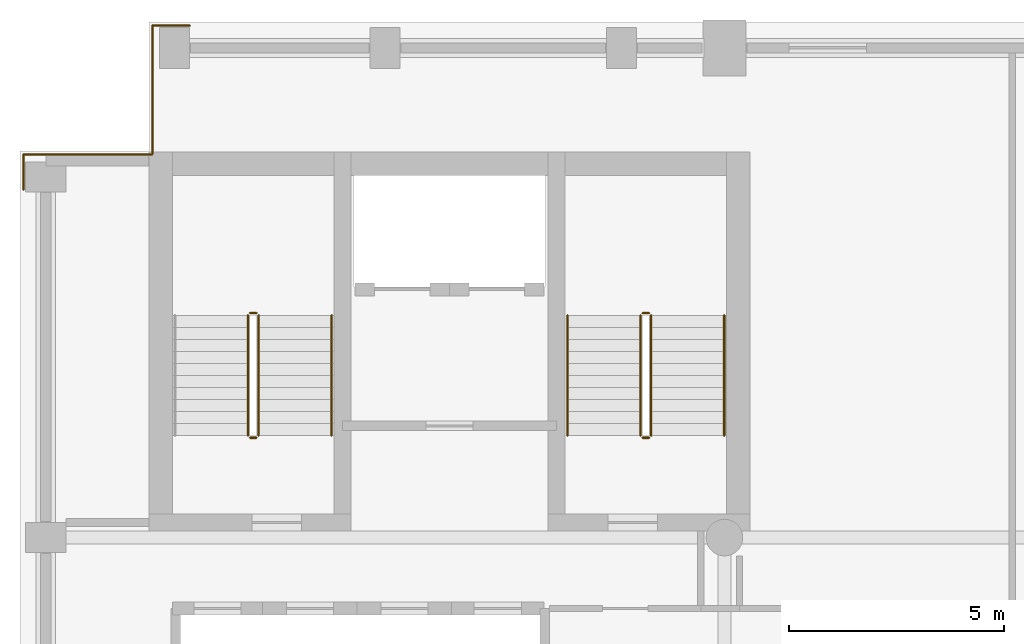
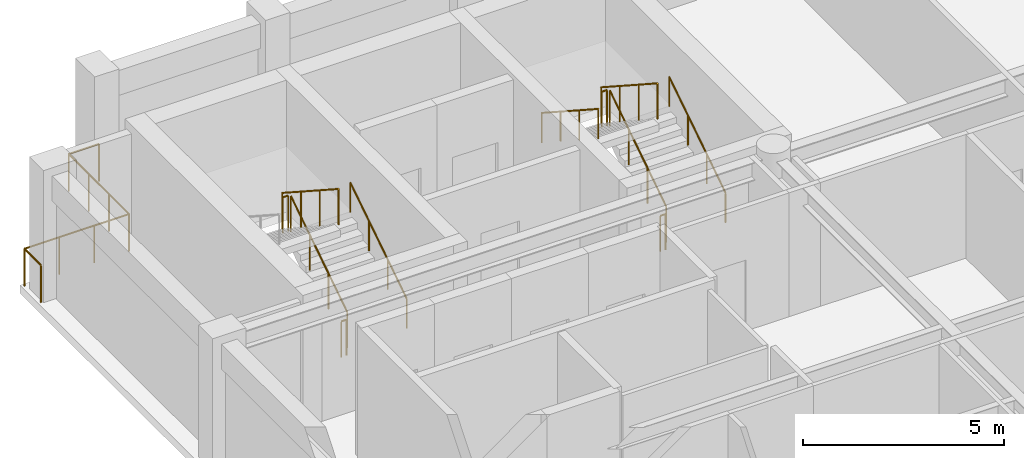
# One storey, part 8 of 9: 15 railings.
"""IFC4 building model written with IfcOpenShell, lengths in metres."""

from ifc_helpers import new_model, si_unit, direction, frame, origin, origin_2d, place, context, subcontext, project, spatial, circle, extrude, material, type_object, element, save


model = new_model("IFC4")

# Units and contexts
model_context = context("Model", 3, precision=1e-05, world=origin(), true_north=direction((0.0, 1.0)))
body_context = subcontext(model_context, "Body", "Model", "MODEL_VIEW")
ifc_project = project(units=[si_unit("LENGTHUNIT", "METRE"), si_unit("AREAUNIT", "SQUARE_METRE"), si_unit("VOLUMEUNIT", "CUBIC_METRE"), si_unit("PLANEANGLEUNIT", "RADIAN"), si_unit("MASSUNIT", "GRAM", prefix="KILO")], contexts=[model_context])

# Site, building, storey
site_placement = place(None, origin())
site = spatial("IfcSite", under=ifc_project, at=site_placement, CompositionType="ELEMENT")
building_placement = place(site_placement, origin())
building = spatial("IfcBuilding", under=site, at=building_placement, Name="Sulina Concourse Tower", CompositionType="ELEMENT")
storey_placement = place(building_placement, frame((0.0, 0.0, 272.60009765625)))
storey = spatial("IfcBuildingStorey", under=building, at=storey_placement, Name="L66", CompositionType="ELEMENT", Elevation=272.60009765625)

# Railings
ifc_material_1 = material(Name="Galvanised steel railing", Category="steel")
railing_type_1 = type_object("IfcRailingType", Name="Core Stair Steel Guardrail 1150mm", PredefinedType="GUARDRAIL", material=ifc_material_1)
railing_1_placement = place(storey_placement, frame((0.080078125, 42.10009765625, 0.0)))
element("IfcRailing", 1, at=railing_1_placement, inside=storey, type_object=railing_type_1, Name="L66 perimeter edge safety guardrail NW1", PredefinedType="GUARDRAIL", context=body_context, shape_type="SweptSolid", body=[
    extrude(circle(Radius=0.02392578125, at=origin_2d()), frame((0.0, 0.0, 1.1259765625), z_axis=(0.0, 1.0, 0.0), x_axis=(-1.0, 0.0, 0.0)), (0.0, 0.0, 1.0), 0.81982421875),
    extrude(circle(Radius=0.02099609375, at=origin_2d()), origin(), (0.0, 0.0, 1.0), 1.101806640625),
    extrude(circle(Radius=0.02099609375, at=origin_2d()), frame((0.0, 0.81982421875, 0.0)), (0.0, 0.0, 1.0), 1.101806640625),
])
railing_2_placement = place(storey_placement, frame((0.080078125, 42.919921875, 0.0)))
element("IfcRailing", 2, at=railing_2_placement, inside=storey, type_object=railing_type_1, Name="L66 perimeter edge safety guardrail NW2", PredefinedType="GUARDRAIL", context=body_context, shape_type="SweptSolid", body=[
    extrude(circle(Radius=0.02392578125, at=origin_2d()), frame((0.0, 0.0, 1.1259765625), z_axis=(1.0, 0.0, 0.0), x_axis=(0.0, 1.0, 0.0)), (0.0, 0.0, 1.0), 3.0),
    extrude(circle(Radius=0.02099609375, at=origin_2d()), origin(), (0.0, 0.0, 1.0), 1.101806640625),
    extrude(circle(Radius=0.02099609375, at=origin_2d()), frame((1.0, 0.0, 0.0)), (0.0, 0.0, 1.0), 1.101806640625),
    extrude(circle(Radius=0.02099609375, at=origin_2d()), frame((2.0, 0.0, 0.0)), (0.0, 0.0, 1.0), 1.101806640625),
    extrude(circle(Radius=0.02099609375, at=origin_2d()), frame((3.0, 0.0, 0.0)), (0.0, 0.0, 1.0), 1.101806640625),
])
railing_3_placement = place(storey_placement, frame((3.080078125, 42.919921875, 0.0)))
element("IfcRailing", 3, at=railing_3_placement, inside=storey, type_object=railing_type_1, Name="L66 perimeter edge safety guardrail NW3", PredefinedType="GUARDRAIL", context=body_context, shape_type="SweptSolid", body=[
    extrude(circle(Radius=0.02392578125, at=origin_2d()), frame((0.0, 0.0, 1.1259765625), z_axis=(0.0, 1.0, 0.0), x_axis=(-1.0, 0.0, 0.0)), (0.0, 0.0, 1.0), 3.0),
    extrude(circle(Radius=0.02099609375, at=origin_2d()), origin(), (0.0, 0.0, 1.0), 1.101806640625),
    extrude(circle(Radius=0.02099609375, at=origin_2d()), frame((0.0, 1.0, 0.0)), (0.0, 0.0, 1.0), 1.101806640625),
    extrude(circle(Radius=0.02099609375, at=origin_2d()), frame((0.0, 2.0, 0.0)), (0.0, 0.0, 1.0), 1.101806640625),
    extrude(circle(Radius=0.02099609375, at=origin_2d()), frame((0.0, 3.0, 0.0)), (0.0, 0.0, 1.0), 1.101806640625),
])
railing_4_placement = place(storey_placement, frame((3.080078125, 45.919921875, 0.0)))
element("IfcRailing", 4, at=railing_4_placement, inside=storey, type_object=railing_type_1, Name="L66 perimeter edge safety guardrail NW4", PredefinedType="GUARDRAIL", context=body_context, shape_type="SweptSolid", body=[
    extrude(circle(Radius=0.02392578125, at=origin_2d()), frame((0.0, 0.0, 1.1259765625), z_axis=(1.0, 0.0, 0.0), x_axis=(0.0, 1.0, 0.0)), (0.0, 0.0, 1.0), 0.869873046875),
    extrude(circle(Radius=0.02099609375, at=origin_2d()), origin(), (0.0, 0.0, 1.0), 1.101806640625),
    extrude(circle(Radius=0.02099609375, at=origin_2d()), frame((0.869873046875, 0.0, 0.0)), (0.0, 0.0, 1.0), 1.101806640625),
])
railing_5_placement = place(storey_placement, frame((5.554931640625, 36.375, 0.181640625)))
element("IfcRailing", 5, at=railing_5_placement, inside=storey, type_object=railing_type_1, Name="L66 ST-1 stair guard 1", PredefinedType="GUARDRAIL", context=body_context, shape_type="SweptSolid", body=[
    extrude(circle(Radius=0.02392578125, at=origin_2d()), frame((0.0, 0.0, 1.076171875), z_axis=(0.0, 0.838672427954, 0.544636170843), x_axis=(-1.0, 0.0, 0.0)), (0.0, 0.0, 1.0), 3.338623046875),
    extrude(circle(Radius=0.02099609375, at=origin_2d()), origin(), (0.0, 0.0, 1.0), 1.052001953125),
    extrude(circle(Radius=0.02099609375, at=origin_2d()), frame((0.0, 0.933349609375, 0.606201171875)), (0.0, 0.0, 1.0), 1.052001953125),
    extrude(circle(Radius=0.02099609375, at=origin_2d()), frame((0.0, 1.86669921875, 1.212158203125)), (0.0, 0.0, 1.0), 1.052001953125),
    extrude(circle(Radius=0.02099609375, at=origin_2d()), frame((0.0, 2.800048828125, 1.818359375)), (0.0, 0.0, 1.0), 1.052001953125),
])
railing_6_placement = place(storey_placement, frame((5.5048828125, 39.22509765625, 2.0)))
element("IfcRailing", 6, at=railing_6_placement, inside=storey, type_object=railing_type_1, Name="L66 ST-1 stair guard 2", PredefinedType="GUARDRAIL", context=body_context, shape_type="SweptSolid", body=[
    extrude(circle(Radius=0.02392578125, at=origin_2d()), frame((0.0, 0.0, 1.076171875), z_axis=(-1.0, 0.0, 0.0), x_axis=(0.0, -1.0, 0.0)), (0.0, 0.0, 1.0), 0.14990234375),
    extrude(circle(Radius=0.02099609375, at=origin_2d()), origin(), (0.0, 0.0, 1.0), 1.052001953125),
    extrude(circle(Radius=0.02099609375, at=origin_2d()), frame((-0.14990234375, 0.0, 0.0)), (0.0, 0.0, 1.0), 1.052001953125),
])
railing_7_placement = place(storey_placement, frame((5.304931640625, 39.175048828125, 2.181640625)))
element("IfcRailing", 7, at=railing_7_placement, inside=storey, type_object=railing_type_1, Name="L66 ST-1 stair guard 3", PredefinedType="GUARDRAIL", context=body_context, shape_type="SweptSolid", body=[
    extrude(circle(Radius=0.02392578125, at=origin_2d()), frame((0.0, 0.0, 1.076171875), z_axis=(0.0, -0.838672427954, 0.544636170843), x_axis=(1.0, 0.0, 0.0)), (0.0, 0.0, 1.0), 3.338623046875),
    extrude(circle(Radius=0.02099609375, at=origin_2d()), origin(), (0.0, 0.0, 1.0), 1.052001953125),
    extrude(circle(Radius=0.02099609375, at=origin_2d()), frame((0.0, -0.933349609375, 0.606201171875)), (0.0, 0.0, 1.0), 1.052001953125),
    extrude(circle(Radius=0.02099609375, at=origin_2d()), frame((0.0, -1.86669921875, 1.212158203125)), (0.0, 0.0, 1.0), 1.052001953125),
    extrude(circle(Radius=0.02099609375, at=origin_2d()), frame((0.0, -2.800048828125, 1.818359375)), (0.0, 0.0, 1.0), 1.052001953125),
])
railing_8_placement = place(storey_placement, frame((5.5048828125, 36.324951171875, 0.0)))
element("IfcRailing", 8, at=railing_8_placement, inside=storey, type_object=railing_type_1, Name="L66 ST-1 stair guard 4", PredefinedType="GUARDRAIL", context=body_context, shape_type="SweptSolid", body=[
    extrude(circle(Radius=0.02392578125, at=origin_2d()), frame((0.0, 0.0, 1.076171875), z_axis=(-1.0, 0.0, 0.0), x_axis=(0.0, -1.0, 0.0)), (0.0, 0.0, 1.0), 0.14990234375),
    extrude(circle(Radius=0.02099609375, at=origin_2d()), origin(), (0.0, 0.0, 1.0), 1.052001953125),
    extrude(circle(Radius=0.02099609375, at=origin_2d()), frame((-0.14990234375, 0.0, 0.0)), (0.0, 0.0, 1.0), 1.052001953125),
])
railing_9_placement = place(storey_placement, frame((14.695068359375, 36.375, 0.181640625)))
element("IfcRailing", 9, at=railing_9_placement, inside=storey, type_object=railing_type_1, Name="L66 ST-2 stair guard 1", PredefinedType="GUARDRAIL", context=body_context, shape_type="SweptSolid", body=[
    extrude(circle(Radius=0.02392578125, at=origin_2d()), frame((0.0, 0.0, 1.076171875), z_axis=(0.0, 0.838672427954, 0.544636170843), x_axis=(-1.0, 0.0, 0.0)), (0.0, 0.0, 1.0), 3.338623046875),
    extrude(circle(Radius=0.02099609375, at=origin_2d()), origin(), (0.0, 0.0, 1.0), 1.052001953125),
    extrude(circle(Radius=0.02099609375, at=origin_2d()), frame((0.0, 0.933349609375, 0.606201171875)), (0.0, 0.0, 1.0), 1.052001953125),
    extrude(circle(Radius=0.02099609375, at=origin_2d()), frame((0.0, 1.86669921875, 1.212158203125)), (0.0, 0.0, 1.0), 1.052001953125),
    extrude(circle(Radius=0.02099609375, at=origin_2d()), frame((0.0, 2.800048828125, 1.818359375)), (0.0, 0.0, 1.0), 1.052001953125),
])
railing_10_placement = place(storey_placement, frame((14.64501953125, 39.22509765625, 2.0)))
element("IfcRailing", 10, at=railing_10_placement, inside=storey, type_object=railing_type_1, Name="L66 ST-2 stair guard 2", PredefinedType="GUARDRAIL", context=body_context, shape_type="SweptSolid", body=[
    extrude(circle(Radius=0.02392578125, at=origin_2d()), frame((0.0, 0.0, 1.076171875), z_axis=(-1.0, 0.0, 0.0), x_axis=(0.0, -1.0, 0.0)), (0.0, 0.0, 1.0), 0.14990234375),
    extrude(circle(Radius=0.02099609375, at=origin_2d()), origin(), (0.0, 0.0, 1.0), 1.052001953125),
    extrude(circle(Radius=0.02099609375, at=origin_2d()), frame((-0.14990234375, 0.0, 0.0)), (0.0, 0.0, 1.0), 1.052001953125),
])
railing_11_placement = place(storey_placement, frame((14.445068359375, 39.175048828125, 2.181640625)))
element("IfcRailing", 11, at=railing_11_placement, inside=storey, type_object=railing_type_1, Name="L66 ST-2 stair guard 3", PredefinedType="GUARDRAIL", context=body_context, shape_type="SweptSolid", body=[
    extrude(circle(Radius=0.02392578125, at=origin_2d()), frame((0.0, 0.0, 1.076171875), z_axis=(0.0, -0.838672427954, 0.544636170843), x_axis=(1.0, 0.0, 0.0)), (0.0, 0.0, 1.0), 3.338623046875),
    extrude(circle(Radius=0.02099609375, at=origin_2d()), origin(), (0.0, 0.0, 1.0), 1.052001953125),
    extrude(circle(Radius=0.02099609375, at=origin_2d()), frame((0.0, -0.933349609375, 0.606201171875)), (0.0, 0.0, 1.0), 1.052001953125),
    extrude(circle(Radius=0.02099609375, at=origin_2d()), frame((0.0, -1.86669921875, 1.212158203125)), (0.0, 0.0, 1.0), 1.052001953125),
    extrude(circle(Radius=0.02099609375, at=origin_2d()), frame((0.0, -2.800048828125, 1.818359375)), (0.0, 0.0, 1.0), 1.052001953125),
])
railing_12_placement = place(storey_placement, frame((14.64501953125, 36.324951171875, 0.0)))
element("IfcRailing", 12, at=railing_12_placement, inside=storey, type_object=railing_type_1, Name="L66 ST-2 stair guard 4", PredefinedType="GUARDRAIL", context=body_context, shape_type="SweptSolid", body=[
    extrude(circle(Radius=0.02392578125, at=origin_2d()), frame((0.0, 0.0, 1.076171875), z_axis=(-1.0, 0.0, 0.0), x_axis=(0.0, -1.0, 0.0)), (0.0, 0.0, 1.0), 0.14990234375),
    extrude(circle(Radius=0.02099609375, at=origin_2d()), origin(), (0.0, 0.0, 1.0), 1.052001953125),
    extrude(circle(Radius=0.02099609375, at=origin_2d()), frame((-0.14990234375, 0.0, 0.0)), (0.0, 0.0, 1.0), 1.052001953125),
])
ifc_material_2 = material(Name="Galvanised steel railing", Category="steel")
railing_type_2 = type_object("IfcRailingType", Name="Stair Wall Steel Handrail 920mm", PredefinedType="HANDRAIL", material=ifc_material_2)
for number, where, name in (
    (13, (7.2548828125, 36.375, 0.181640625), "L66 ST-1 stair handrail 1"),
    (14, (16.39501953125, 36.375, 0.181640625), "L66 ST-2 stair handrail 1"),
):
    element("IfcRailing", number, at=place(storey_placement, frame(where)), inside=storey, type_object=railing_type_2, Name=name, PredefinedType="HANDRAIL", context=body_context, shape_type="SweptSolid", body=[
        extrude(circle(Radius=0.02392578125, at=origin_2d()), frame((0.0, 0.0, 0.89599609375), z_axis=(0.0, 0.838672427954, 0.544636170843), x_axis=(-1.0, 0.0, 0.0)), (0.0, 0.0, 1.0), 3.338623046875),
        extrude(circle(Radius=0.02099609375, at=origin_2d()), origin(), (0.0, 0.0, 1.0), 0.871826171875),
        extrude(circle(Radius=0.02099609375, at=origin_2d()), frame((0.0, 0.933349609375, 0.606201171875)), (0.0, 0.0, 1.0), 0.871826171875),
        extrude(circle(Radius=0.02099609375, at=origin_2d()), frame((0.0, 1.86669921875, 1.212158203125)), (0.0, 0.0, 1.0), 0.871826171875),
        extrude(circle(Radius=0.02099609375, at=origin_2d()), frame((0.0, 2.800048828125, 1.818359375)), (0.0, 0.0, 1.0), 0.871826171875),
    ])
railing_13_placement = place(storey_placement, frame((12.7451171875, 39.175048828125, 2.181640625)))
element("IfcRailing", 15, at=railing_13_placement, inside=storey, type_object=railing_type_2, Name="L66 ST-2 stair handrail 2", PredefinedType="HANDRAIL", context=body_context, shape_type="SweptSolid", body=[
    extrude(circle(Radius=0.02392578125, at=origin_2d()), frame((0.0, 0.0, 0.89599609375), z_axis=(0.0, -0.838672427954, 0.544636170843), x_axis=(1.0, 0.0, 0.0)), (0.0, 0.0, 1.0), 3.338623046875),
    extrude(circle(Radius=0.02099609375, at=origin_2d()), origin(), (0.0, 0.0, 1.0), 0.871826171875),
    extrude(circle(Radius=0.02099609375, at=origin_2d()), frame((0.0, -0.933349609375, 0.606201171875)), (0.0, 0.0, 1.0), 0.871826171875),
    extrude(circle(Radius=0.02099609375, at=origin_2d()), frame((0.0, -1.86669921875, 1.212158203125)), (0.0, 0.0, 1.0), 0.871826171875),
    extrude(circle(Radius=0.02099609375, at=origin_2d()), frame((0.0, -2.800048828125, 1.818359375)), (0.0, 0.0, 1.0), 0.871826171875),
])

save(model, "model.ifc")
